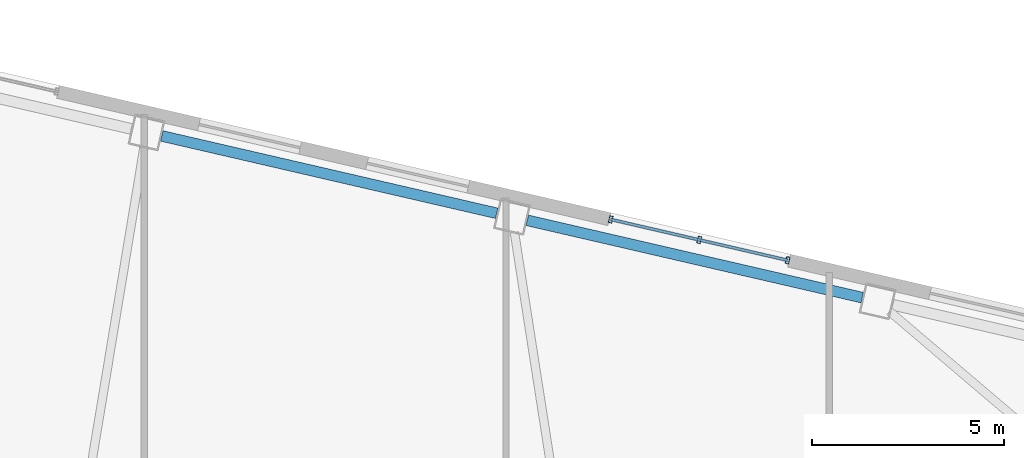
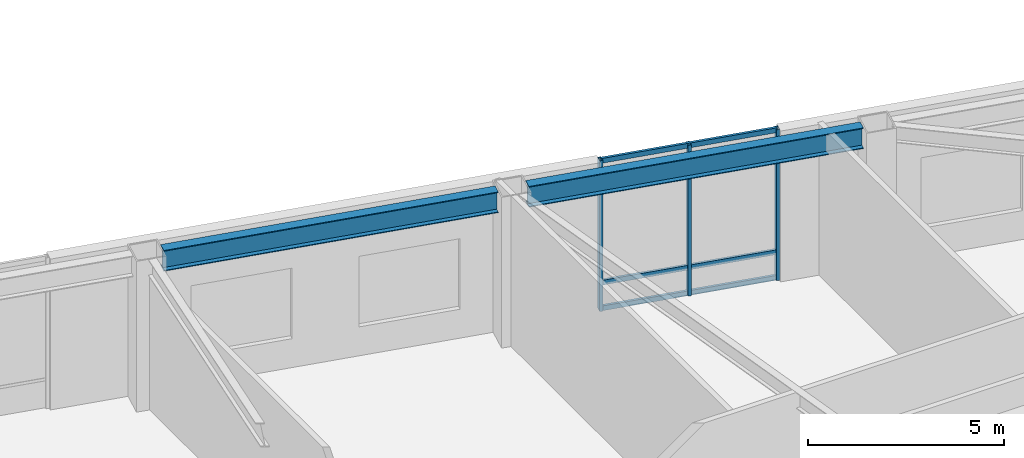
# One storey, part 7 of 20: 6 members, 2 beams, 1 element without a shape of its own.
"""IFC4 building model written with IfcOpenShell, lengths in metres."""

from ifc_helpers import new_model, si_unit, direction, frame, origin, origin_2d, place, context, subcontext, project, spatial, hollow_rectangle, i_section, extrude, material, layer, layer_set, material_profile, profile_set, type_object, element, aggregate, save


model = new_model("IFC4")

# Units and contexts
model_context = context("Model", 3, precision=1e-05, world=origin(), true_north=direction((0.0, 1.0)))
body_context = subcontext(model_context, "Body", "Model", "MODEL_VIEW")
ifc_project = project(units=[si_unit("LENGTHUNIT", "METRE"), si_unit("AREAUNIT", "SQUARE_METRE"), si_unit("VOLUMEUNIT", "CUBIC_METRE"), si_unit("PLANEANGLEUNIT", "RADIAN"), si_unit("MASSUNIT", "GRAM", prefix="KILO")], contexts=[model_context])

# Site, building, storey
site_placement = place(None, origin())
site = spatial("IfcSite", under=ifc_project, at=site_placement, CompositionType="ELEMENT")
building_placement = place(site_placement, origin())
building = spatial("IfcBuilding", under=site, at=building_placement, Name="Tavrogorsk Clinical Tower", CompositionType="ELEMENT")
storey_placement = place(building_placement, frame((0.0, 0.0, 23.39990234375)))
storey = spatial("IfcBuildingStorey", under=building, at=storey_placement, Name="L04", CompositionType="ELEMENT", Elevation=23.39990234375)

# Curtain wall, members
ifc_material_1 = material(Name="Anodised aluminium and triple IGU glazing", Category="aluminium")
ifc_layer = layer(ifc_material_1, 0.179931640625)
ifc_layer_set = layer_set([ifc_layer], Name="Anodised aluminium and triple IGU glazing")
curtain_wall_type = type_object("IfcCurtainWallType", Name="CW2_NorthSlot", PredefinedType="NOTDEFINED", material=ifc_layer_set)
curtain_wall_placement = place(storey_placement, origin())
curtain_wall = element("IfcCurtainWall", 1, at=curtain_wall_placement, inside=storey, type_object=curtain_wall_type, Name="L04 Curtain Wall CW-L04-N-SLOT-2", PredefinedType="NOTDEFINED")
ifc_material_2 = material(Name="Anodised aluminium alloy AW-6060", Category="aluminium")
ifc_material_profile_1 = material_profile(ifc_material_2, hollow_rectangle(XDim=0.090087890625, YDim=0.179931640625, WallThickness=0.00634765625, at=origin_2d()), Name="RHS-180x90x6.3")
ifc_profile_set_1 = profile_set([ifc_material_profile_1], Name="Anodised aluminium alloy AW-6060")
member_type_1 = type_object("IfcMemberType", Name="CwMullion_180x90", PredefinedType="MULLION", material=ifc_profile_set_1)
member_1_placement = place(storey_placement, frame((15.117919921875, 20.254638671875, 0.0), z_axis=(0.0, 0.0, 1.0), x_axis=(-0.974370046851, 0.224951132027, 0.0)))
member_1 = element("IfcMember", 2, at=member_1_placement, type_object=member_type_1, Name="CW-L04-N-SLOT-2 Mullion 1", PredefinedType="MULLION", context=body_context, shape_type="SweptSolid", body=[
    extrude(hollow_rectangle(XDim=0.090087890625, YDim=0.179931640625, WallThickness=0.00634765625, at=origin_2d()), origin(), (0.0, 0.0, 1.0), 4.7001953125),
])
member_2_placement = place(storey_placement, frame((12.8193359375, 20.78515625, 0.0), z_axis=(0.0, 0.0, 1.0), x_axis=(-0.974370046851, 0.224951132027, 0.0)))
member_2 = element("IfcMember", 3, at=member_2_placement, type_object=member_type_1, Name="CW-L04-N-SLOT-2 Mullion 2", PredefinedType="MULLION", context=body_context, shape_type="SweptSolid", body=[
    extrude(hollow_rectangle(XDim=0.090087890625, YDim=0.179931640625, WallThickness=0.00634765625, at=origin_2d()), origin(), (0.0, 0.0, 1.0), 4.7001953125),
])
member_3_placement = place(storey_placement, frame((10.520751953125, 21.31591796875, 0.0), z_axis=(0.0, 0.0, 1.0), x_axis=(-0.974370046851, 0.224951132027, 0.0)))
member_3 = element("IfcMember", 4, at=member_3_placement, type_object=member_type_1, Name="CW-L04-N-SLOT-2 Mullion 3", PredefinedType="MULLION", context=body_context, shape_type="SweptSolid", body=[
    extrude(hollow_rectangle(XDim=0.090087890625, YDim=0.179931640625, WallThickness=0.00634765625, at=origin_2d()), origin(), (0.0, 0.0, 1.0), 4.7001953125),
])
ifc_material_3 = material(Name="Anodised aluminium alloy AW-6060", Category="aluminium")
ifc_material_profile_2 = material_profile(ifc_material_3, hollow_rectangle(XDim=0.074951171875, YDim=0.14990234375, WallThickness=0.0048828125, at=origin_2d()), Name="RHS-150x75x5")
ifc_profile_set_2 = profile_set([ifc_material_profile_2], Name="Anodised aluminium alloy AW-6060")
member_type_2 = type_object("IfcMemberType", Name="CwTransom_150x75", PredefinedType="USERDEFINED", material=ifc_profile_set_2)
member_4_placement = place(storey_placement, frame((15.117919921875, 20.254638671875, 0.050048828125), z_axis=(-0.974372877948, 0.22493886885, 0.0), x_axis=(-0.22493886885, -0.974372877948, 0.0)))
member_4 = element("IfcMember", 5, at=member_4_placement, type_object=member_type_2, Name="CW-L04-N-SLOT-2 Transom 1", ObjectType="TRANSOM", PredefinedType="USERDEFINED", context=body_context, shape_type="SweptSolid", body=[
    extrude(hollow_rectangle(XDim=0.074951171875, YDim=0.14990234375, WallThickness=0.0048828125, at=origin_2d()), origin(), (0.0, 0.0, 1.0), 4.718017578125),
])
member_5_placement = place(storey_placement, frame((15.117919921875, 20.254638671875, 0.85009765625), z_axis=(-0.974372877948, 0.22493886885, 0.0), x_axis=(-0.22493886885, -0.974372877948, 0.0)))
member_5 = element("IfcMember", 6, at=member_5_placement, type_object=member_type_2, Name="CW-L04-N-SLOT-2 Transom 2", ObjectType="TRANSOM", PredefinedType="USERDEFINED", context=body_context, shape_type="SweptSolid", body=[
    extrude(hollow_rectangle(XDim=0.074951171875, YDim=0.14990234375, WallThickness=0.0048828125, at=origin_2d()), origin(), (0.0, 0.0, 1.0), 4.718017578125),
])
member_6_placement = place(storey_placement, frame((15.117919921875, 20.254638671875, 4.650146484375), z_axis=(-0.974372877948, 0.22493886885, 0.0), x_axis=(-0.22493886885, -0.974372877948, 0.0)))
member_6 = element("IfcMember", 7, at=member_6_placement, type_object=member_type_2, Name="CW-L04-N-SLOT-2 Transom 3", ObjectType="TRANSOM", PredefinedType="USERDEFINED", context=body_context, shape_type="SweptSolid", body=[
    extrude(hollow_rectangle(XDim=0.074951171875, YDim=0.14990234375, WallThickness=0.0048828125, at=origin_2d()), origin(), (0.0, 0.0, 1.0), 4.718017578125),
])
aggregate(curtain_wall, [member_1, member_2, member_3, member_4, member_5, member_6])

# Beams
ifc_material_4 = material(Name="Structural steel S390", Category="steel")
ifc_material_profile_3 = material_profile(ifc_material_4, i_section(OverallWidth=0.280029296875, OverallDepth=0.64990234375, WebThickness=0.01611328125, FlangeThickness=0.02490234375, at=origin_2d()), Name="B-650x280x16x25")
ifc_profile_set_3 = profile_set([ifc_material_profile_3], Name="Structural steel S390")
beam_type = type_object("IfcBeamType", Name="SpandrelBeam_B650", PredefinedType="SPANDREL", material=ifc_profile_set_3)
for number, where, z_axis, x_axis, name in (
    (8, (17.056396484375, 19.28369140625, 4.375), (-0.974372766602, 0.224939351168, 0.0), (-0.224939351168, -0.974372766602, 0.0), "L04 Perimeter Spandrel N3-N4"),
    (9, (7.5576171875, 21.4765625, 4.375), (-0.974366775889, 0.224965299645, 0.0), (-0.224965299645, -0.974366775889, 0.0), "L04 Perimeter Spandrel N4-N5"),
):
    element("IfcBeam", number, at=place(storey_placement, frame(where, z_axis=z_axis, x_axis=x_axis)), inside=storey, type_object=beam_type, Name=name, PredefinedType="SPANDREL", context=body_context, shape_type="SweptSolid", body=[
        extrude(i_section(OverallWidth=0.280029296875, OverallDepth=0.64990234375, WebThickness=0.01611328125, FlangeThickness=0.02490234375, at=origin_2d()), origin(), (0.0, 0.0, 1.0), 8.9326171875),
    ])

save(model, "model.ifc")
